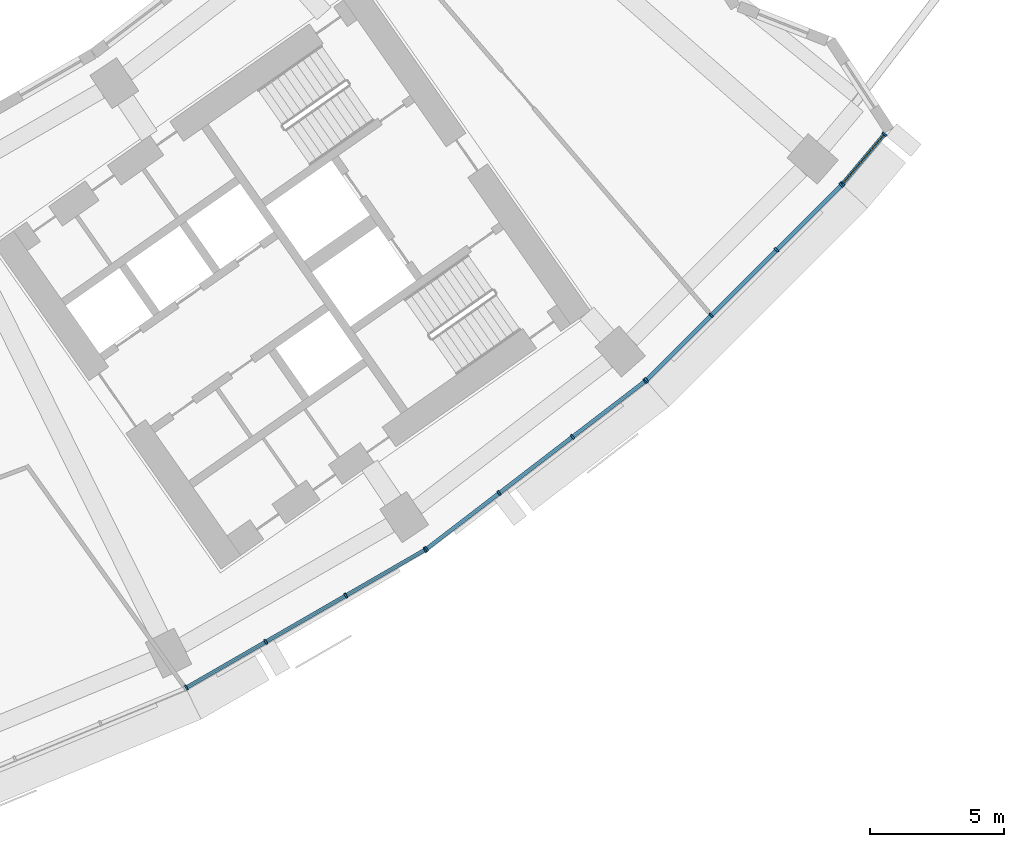
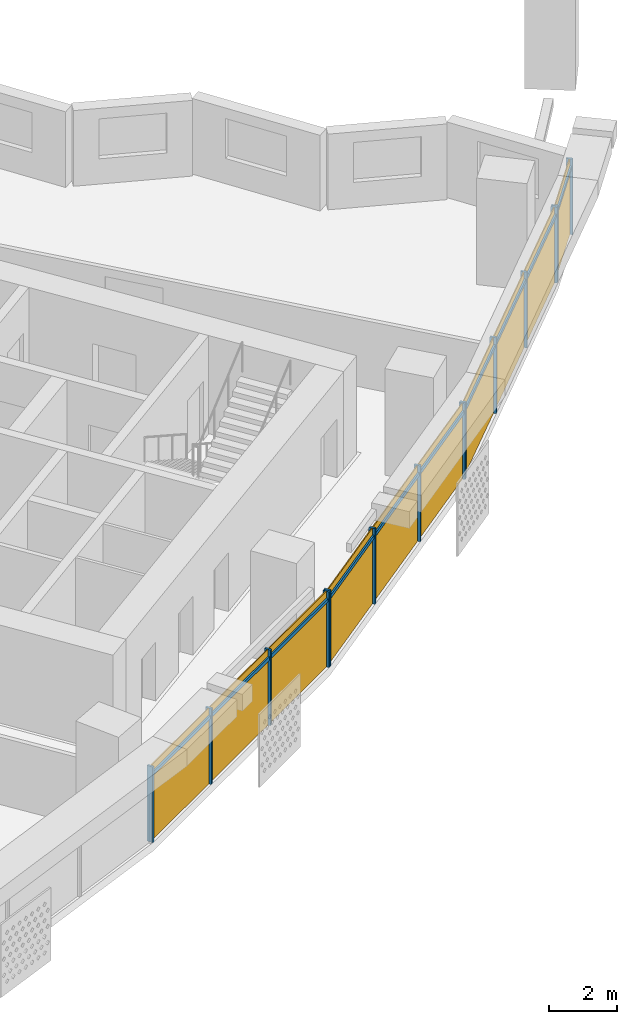
# One storey, part 21 of 29: 24 members, 4 curtain walls.
"""IFC4 building model written with IfcOpenShell, lengths in metres."""

import ifcopenshell
import ifcopenshell.guid

model = None  # the IFC model being written
_history = None  # IfcOwnerHistory: only IFC2X3 demands one
_inside = {}  # id of a spatial element -> (the spatial element, [elements in it])
_under = {}  # id of a project, library or spatial element -> (it, [spatial elements below it])
_declared = {}  # id of a project -> (the project, [libraries it declares])
_typed = {}  # id of a type object -> (the type object, [elements of that type])
_made_of = {}  # id of a material, layer set ... -> (it, [elements and type objects made of it])


def new_model(schema):
    """Start an empty IFC model of exactly this schema.

    Asked for "IFC4X3", IfcOpenShell would pick the latest addendum, in which some entities
    have other attributes; the version numbers below select the first issue.
    IFC2X3 requires an IfcOwnerHistory on every rooted entity: one is made here for all.
    """
    global model, _history
    if schema == "IFC4X3":
        model = ifcopenshell.file(schema_version=(4, 3, 0, 0))
    else:
        model = ifcopenshell.file(schema=schema)
    _inside.clear()
    _under.clear()
    _declared.clear()
    _typed.clear()
    _made_of.clear()
    _history = None
    if model.schema == "IFC2X3":
        org = make("IfcOrganization", Name="unknown")
        user = make(
            "IfcPersonAndOrganization",
            ThePerson=make("IfcPerson", FamilyName="unknown"),
            TheOrganization=org,
        )
        app = make(
            "IfcApplication",
            ApplicationDeveloper=org,
            Version="unknown",
            ApplicationFullName="unknown",
            ApplicationIdentifier="unknown",
        )
        _history = make(
            "IfcOwnerHistory",
            OwningUser=user,
            OwningApplication=app,
            ChangeAction="ADDED",
            CreationDate=0,
        )
    return model


def make(cls, **values):
    """One entity of the class cls with the attributes given. An attribute that is None is left unset."""
    return model.create_entity(
        cls, **{name: value for name, value in values.items() if value is not None}
    )


def rooted(cls, **values):
    """An entity with a GlobalId (a new one), such as an element, a storey or a relation."""
    return make(cls, GlobalId=ifcopenshell.guid.new(), OwnerHistory=_history, **values)


def si_unit(unit_type, name, prefix=None):
    """IfcSIUnit, for example si_unit("LENGTHUNIT", "METRE", prefix="MILLI")."""
    return make("IfcSIUnit", UnitType=unit_type, Prefix=prefix, Name=name)


def assignment(units):
    """IfcUnitAssignment: the units of a project."""
    return None if units is None else make("IfcUnitAssignment", Units=units)


def point(xyz):
    """IfcCartesianPoint."""
    return None if xyz is None else make("IfcCartesianPoint", Coordinates=xyz)


def direction(xyz):
    """IfcDirection."""
    return None if xyz is None else make("IfcDirection", DirectionRatios=xyz)


def frame(location, z_axis=None, x_axis=None):
    """IfcAxis2Placement3D, a coordinate frame: its origin and axes. An axis left out is left unset."""
    return make(
        "IfcAxis2Placement3D",
        Location=point(location),
        Axis=direction(z_axis),
        RefDirection=direction(x_axis),
    )


def frame_2d(location, x_axis=None):
    """IfcAxis2Placement2D, a coordinate frame in the plane: its origin and x axis."""
    return make(
        "IfcAxis2Placement2D", Location=point(location), RefDirection=direction(x_axis)
    )


def origin():
    """The frame at (0, 0, 0) with its axes left unset."""
    return frame((0.0, 0.0, 0.0))


def origin_2d():
    """The frame at (0, 0) in the plane with its x axis left unset."""
    return frame_2d((0.0, 0.0))


def place(relative_to, where):
    """IfcLocalPlacement: puts the frame where relative to a parent placement (None: the world)."""
    return make(
        "IfcLocalPlacement", PlacementRelTo=relative_to, RelativePlacement=where
    )


def context(
    kind, dimensions, precision=None, world=None, true_north=None, identifier=None
):
    """IfcGeometricRepresentationContext, for example the 3D "Model" context."""
    return make(
        "IfcGeometricRepresentationContext",
        ContextIdentifier=identifier,
        ContextType=kind,
        CoordinateSpaceDimension=dimensions,
        Precision=precision,
        WorldCoordinateSystem=world,
        TrueNorth=true_north,
    )


def subcontext(parent, identifier, kind, view, scale=None):
    """IfcGeometricRepresentationSubContext, for example "Body" below "Model"."""
    return make(
        "IfcGeometricRepresentationSubContext",
        ContextIdentifier=identifier,
        ContextType=kind,
        ParentContext=parent,
        TargetScale=scale,
        TargetView=view,
    )


def project(units=None, contexts=None):
    """IfcProject with its units and contexts."""
    return rooted(
        "IfcProject",
        Name="project",
        RepresentationContexts=contexts,
        UnitsInContext=assignment(units),
    )


def spatial(cls, under=None, at=None, **own):
    """A site, building, storey or space (cls), placed at a placement, below another one or the project."""
    s = rooted(cls, ObjectPlacement=at, **own)
    if under is not None:
        _under.setdefault(under.id(), (under, []))[1].append(s)
    return s


def profile(cls, at=None, kind="AREA", **sizes):
    """A parametric profile (cls). Its sizes go by their IFC names, for example OverallWidth=200.0."""
    return make(cls, ProfileType=kind, Position=at, **sizes)


def rectangle(**sizes):
    """IfcRectangleProfileDef."""
    return profile("IfcRectangleProfileDef", **sizes)


def extrude(swept, where, along, depth):
    """IfcExtrudedAreaSolid: the profile swept, set in the frame where, extruded along a direction by depth."""
    return make(
        "IfcExtrudedAreaSolid",
        SweptArea=swept,
        Position=where,
        ExtrudedDirection=direction(along),
        Depth=depth,
    )


def shape(context_of_items, identifier, shape_type, items):
    """IfcShapeRepresentation: the items that make up one representation, for example the "Body"."""
    return make(
        "IfcShapeRepresentation",
        ContextOfItems=context_of_items,
        RepresentationIdentifier=identifier,
        RepresentationType=shape_type,
        Items=items,
    )


def material(Name=None, Category=None):
    """IfcMaterial."""
    return make("IfcMaterial", Name=Name, Category=Category)


def material_profile(
    of_material, cross_section, Name=None, Category=None, Priority=None
):
    """IfcMaterialProfile: a cross section and its material."""
    return make(
        "IfcMaterialProfile",
        Name=Name,
        Material=of_material,
        Profile=cross_section,
        Priority=Priority,
        Category=Category,
    )


def profile_set(profiles, Name=None, composite=None):
    """IfcMaterialProfileSet."""
    return make(
        "IfcMaterialProfileSet",
        Name=Name,
        MaterialProfiles=profiles,
        CompositeProfile=composite,
    )


def made_of(thing, what):
    """Note that an element or type object is made of a material, layer set ...; save() writes the relation."""
    if what is not None:
        _made_of.setdefault(what.id(), (what, []))[1].append(thing)
    return thing


def type_object(cls, material=None, **own):
    """A type object (cls), such as IfcWallType, which elements share."""
    return made_of(rooted(cls, **own), material)


def element(
    cls,
    number,
    at=None,
    inside=None,
    cuts=None,
    type_object=None,
    material=None,
    context=None,
    identifier="Body",
    shape_type=None,
    held_by="IfcProductDefinitionShape",
    body=None,
    shapes=None,
    **own,
):
    """One element of the class cls, such as IfcWall. Its Tag is "e" and its number.

    at: its placement. inside: the storey or other place that contains it. cuts: it is an
    opening in that element (IfcRelVoidsElement). A single representation is given by context,
    identifier, shape_type and body (its items); several are given by shapes. held_by: the class
    of the entity that holds the representations. save() writes the other relations.
    """
    e = rooted(cls, Tag="e%d" % number, ObjectPlacement=at, **own)
    if body is not None:
        shapes = [shape(context, identifier, shape_type, body)]
    if shapes is not None:
        e.Representation = make(held_by, Representations=shapes)
    if inside is not None:
        _inside.setdefault(inside.id(), (inside, []))[1].append(e)
    if cuts is not None:
        rooted(
            "IfcRelVoidsElement", RelatingBuildingElement=cuts, RelatedOpeningElement=e
        )
    if type_object is not None:
        _typed.setdefault(type_object.id(), (type_object, []))[1].append(e)
    return made_of(e, material)


def aggregate(whole, parts):
    """IfcRelAggregates: a whole, such as a stair, and the parts it consists of."""
    return rooted("IfcRelAggregates", RelatingObject=whole, RelatedObjects=parts)


def save(model, path):
    """Write the relations noted so far, then the file.

    IfcRelAggregates (storeys below a building ...), IfcRelContainedInSpatialStructure (elements
    in a storey), IfcRelDefinesByType, IfcRelAssociatesMaterial and IfcRelDeclares: one each for
    every whole, place, type object, material and project.
    """
    for whole, parts in _under.values():
        aggregate(whole, parts)
    for where, things in _inside.values():
        rooted(
            "IfcRelContainedInSpatialStructure",
            RelatedElements=things,
            RelatingStructure=where,
        )
    for kind, things in _typed.values():
        rooted("IfcRelDefinesByType", RelatedObjects=things, RelatingType=kind)
    for what, things in _made_of.values():
        rooted("IfcRelAssociatesMaterial", RelatedObjects=things, RelatingMaterial=what)
    for by, libraries in _declared.values():
        rooted("IfcRelDeclares", RelatingContext=by, RelatedDefinitions=libraries)
    model.write(path)


model = new_model("IFC4")

# Units and contexts
model_context = context("Model", 3, precision=1e-05, world=origin(), true_north=direction((0.0, 1.0)))
body_context = subcontext(model_context, "Body", "Model", "MODEL_VIEW")
ifc_project = project(units=[si_unit("LENGTHUNIT", "METRE"), si_unit("AREAUNIT", "SQUARE_METRE"), si_unit("VOLUMEUNIT", "CUBIC_METRE"), si_unit("PLANEANGLEUNIT", "RADIAN"), si_unit("MASSUNIT", "GRAM", prefix="KILO")], contexts=[model_context])

# Member
ifc_material = material(Name="Aluminium 6063-T6 anodised", Category="aluminium")
ifc_material_profile_1 = material_profile(ifc_material, rectangle(XDim=0.199951171875, YDim=0.070068359375, at=origin_2d()))
ifc_profile_set_1 = profile_set([ifc_material_profile_1], Name="Aluminium 6063-T6 anodised")
member_type_1 = type_object("IfcMemberType", Name="Mullion 70 x 200 aluminium", PredefinedType="MULLION", material=ifc_profile_set_1)
site_placement = place(None, origin())
building_placement = place(site_placement, origin())
storey_placement = place(building_placement, frame((0.0, 0.0, 121.5)))
member_1_placement = place(storey_placement, frame((35.0537109375, -71.017822265625, 0.0), z_axis=(0.0, 0.0, 1.0), x_axis=(-0.5, 0.866025403784, 0.0)))
member_1 = element("IfcMember", 1, at=member_1_placement, type_object=member_type_1, Name="e-cw1-L27-out13/M00", PredefinedType="MULLION", context=body_context, shape_type="SweptSolid", body=[
    extrude(rectangle(XDim=0.199951171875, YDim=0.070068359375, at=origin_2d()), origin(), (0.0, 0.0, 1.0), 2.699951171875),
])

member_2_placement = place(storey_placement, frame((38.017822265625, -69.306640625, 0.0), z_axis=(0.0, 0.0, 1.0), x_axis=(-0.5, 0.866025403784, 0.0)))
member_2 = element("IfcMember", 2, at=member_2_placement, type_object=member_type_1, Name="e-cw1-L27-out13/M01", PredefinedType="MULLION", context=body_context, shape_type="SweptSolid", body=[
    extrude(rectangle(XDim=0.199951171875, YDim=0.070068359375, at=origin_2d()), origin(), (0.0, 0.0, 1.0), 2.699951171875),
])

member_3_placement = place(storey_placement, frame((41.01220703125, -67.577880859375, 0.0), z_axis=(0.0, 0.0, 1.0), x_axis=(-0.5, 0.866025403784, 0.0)))
member_3 = element("IfcMember", 3, at=member_3_placement, type_object=member_type_1, Name="e-cw1-L27-out13/M02", PredefinedType="MULLION", context=body_context, shape_type="SweptSolid", body=[
    extrude(rectangle(XDim=0.199951171875, YDim=0.070068359375, at=origin_2d()), origin(), (0.0, 0.0, 1.0), 2.699951171875),
])

member_4_placement = place(storey_placement, frame((43.976318359375, -65.866455078125, 0.0), z_axis=(0.0, 0.0, 1.0), x_axis=(-0.5, 0.866025403784, 0.0)))
member_4 = element("IfcMember", 4, at=member_4_placement, type_object=member_type_1, Name="e-cw1-L27-out13/M03", PredefinedType="MULLION", context=body_context, shape_type="SweptSolid", body=[
    extrude(rectangle(XDim=0.199951171875, YDim=0.070068359375, at=origin_2d()), origin(), (0.0, 0.0, 1.0), 2.699951171875),
])

member_5_placement = place(storey_placement, frame((44.023681640625, -65.8349609375, 0.0), z_axis=(0.0, 0.0, 1.0), x_axis=(-0.608761429009, 0.793353340291, 0.0)))
member_5 = element("IfcMember", 5, at=member_5_placement, type_object=member_type_1, Name="e-cw1-L27-out14/M00", PredefinedType="MULLION", context=body_context, shape_type="SweptSolid", body=[
    extrude(rectangle(XDim=0.199951171875, YDim=0.070068359375, at=origin_2d()), origin(), (0.0, 0.0, 1.0), 2.699951171875),
])

member_6_placement = place(storey_placement, frame((46.739013671875, -63.751220703125, 0.0), z_axis=(0.0, 0.0, 1.0), x_axis=(-0.608761429009, 0.793353340291, 0.0)))
member_6 = element("IfcMember", 6, at=member_6_placement, type_object=member_type_1, Name="e-cw1-L27-out14/M01", PredefinedType="MULLION", context=body_context, shape_type="SweptSolid", body=[
    extrude(rectangle(XDim=0.199951171875, YDim=0.070068359375, at=origin_2d()), origin(), (0.0, 0.0, 1.0), 2.699951171875),
])

member_7_placement = place(storey_placement, frame((49.482177734375, -61.646484375, 0.0), z_axis=(0.0, 0.0, 1.0), x_axis=(-0.608761429009, 0.793353340291, 0.0)))
member_7 = element("IfcMember", 7, at=member_7_placement, type_object=member_type_1, Name="e-cw1-L27-out14/M02", PredefinedType="MULLION", context=body_context, shape_type="SweptSolid", body=[
    extrude(rectangle(XDim=0.199951171875, YDim=0.070068359375, at=origin_2d()), origin(), (0.0, 0.0, 1.0), 2.699951171875),
])

member_8_placement = place(storey_placement, frame((52.197509765625, -59.56298828125, 0.0), z_axis=(0.0, 0.0, 1.0), x_axis=(-0.608761429009, 0.793353340291, 0.0)))
member_8 = element("IfcMember", 8, at=member_8_placement, type_object=member_type_1, Name="e-cw1-L27-out14/M03", PredefinedType="MULLION", context=body_context, shape_type="SweptSolid", body=[
    extrude(rectangle(XDim=0.199951171875, YDim=0.070068359375, at=origin_2d()), origin(), (0.0, 0.0, 1.0), 2.699951171875),
])

member_9_placement = place(storey_placement, frame((52.240234375, -59.525390625, 0.0), z_axis=(0.0, 0.0, 1.0), x_axis=(-0.707106781187, 0.707106781187, 0.0)))
member_9 = element("IfcMember", 9, at=member_9_placement, type_object=member_type_1, Name="e-cw1-L27-out15/M00", PredefinedType="MULLION", context=body_context, shape_type="SweptSolid", body=[
    extrude(rectangle(XDim=0.199951171875, YDim=0.070068359375, at=origin_2d()), origin(), (0.0, 0.0, 1.0), 2.699951171875),
])

member_10_placement = place(storey_placement, frame((54.660400390625, -57.105224609375, 0.0), z_axis=(0.0, 0.0, 1.0), x_axis=(-0.707106781187, 0.707106781187, 0.0)))
member_10 = element("IfcMember", 10, at=member_10_placement, type_object=member_type_1, Name="e-cw1-L27-out15/M01", PredefinedType="MULLION", context=body_context, shape_type="SweptSolid", body=[
    extrude(rectangle(XDim=0.199951171875, YDim=0.070068359375, at=origin_2d()), origin(), (0.0, 0.0, 1.0), 2.699951171875),
])

member_11_placement = place(storey_placement, frame((57.105224609375, -54.660400390625, 0.0), z_axis=(0.0, 0.0, 1.0), x_axis=(-0.707106781187, 0.707106781187, 0.0)))
member_11 = element("IfcMember", 11, at=member_11_placement, type_object=member_type_1, Name="e-cw1-L27-out15/M02", PredefinedType="MULLION", context=body_context, shape_type="SweptSolid", body=[
    extrude(rectangle(XDim=0.199951171875, YDim=0.070068359375, at=origin_2d()), origin(), (0.0, 0.0, 1.0), 2.699951171875),
])

member_12_placement = place(storey_placement, frame((59.525390625, -52.240234375, 0.0), z_axis=(0.0, 0.0, 1.0), x_axis=(-0.707106781187, 0.707106781187, 0.0)))
member_12 = element("IfcMember", 12, at=member_12_placement, type_object=member_type_1, Name="e-cw1-L27-out15/M03", PredefinedType="MULLION", context=body_context, shape_type="SweptSolid", body=[
    extrude(rectangle(XDim=0.199951171875, YDim=0.070068359375, at=origin_2d()), origin(), (0.0, 0.0, 1.0), 2.699951171875),
])

member_13_placement = place(storey_placement, frame((59.567138671875, -52.19482421875, 0.0), z_axis=(0.0, 0.0, 1.0), x_axis=(-0.763709922042, 0.645559567332, 0.0)))
member_13 = element("IfcMember", 13, at=member_13_placement, type_object=member_type_1, Name="e-cw1-L27-out16/M00", PredefinedType="MULLION", context=body_context, shape_type="SweptSolid", body=[
    extrude(rectangle(XDim=0.199951171875, YDim=0.070068359375, at=origin_2d()), origin(), (0.0, 0.0, 1.0), 2.699951171875),
])

member_14_placement = place(storey_placement, frame((61.135986328125, -50.3388671875, 0.0), z_axis=(0.0, 0.0, 1.0), x_axis=(-0.763709922042, 0.645559567332, 0.0)))
member_14 = element("IfcMember", 14, at=member_14_placement, type_object=member_type_1, Name="e-cw1-L27-out16/M01", PredefinedType="MULLION", context=body_context, shape_type="SweptSolid", body=[
    extrude(rectangle(XDim=0.199951171875, YDim=0.070068359375, at=origin_2d()), origin(), (0.0, 0.0, 1.0), 2.699951171875),
])

ifc_material_profile_2 = material_profile(ifc_material, rectangle(XDim=0.139892578125, YDim=0.1201171875, at=origin_2d()))
ifc_profile_set_2 = profile_set([ifc_material_profile_2], Name="Aluminium 6063-T6 anodised")
member_type_2 = type_object("IfcMemberType", Name="Transom 120 x 140 aluminium", PredefinedType="USERDEFINED", material=ifc_profile_set_2)
member_15_placement = place(storey_placement, frame((35.084228515625, -71.00048828125, 2.39990234375), z_axis=(0.865989120267, 0.50006283963, 0.0), x_axis=(-0.50006283963, 0.865989120267, 0.0)))
member_15 = element("IfcMember", 15, at=member_15_placement, type_object=member_type_2, Name="e-cw1-L27-out13/T00", ObjectType="TRANSOM", PredefinedType="USERDEFINED", context=body_context, shape_type="SweptSolid", body=[
    extrude(rectangle(XDim=0.139892578125, YDim=0.1201171875, at=origin_2d()), origin(), (0.0, 0.0, 1.0), 3.3525390625),
])

member_16_placement = place(storey_placement, frame((38.048095703125, -69.2890625, 2.39990234375), z_axis=(0.866025971257, 0.499999017107, 0.0), x_axis=(-0.499999017107, 0.866025971257, 0.0)))
member_16 = element("IfcMember", 16, at=member_16_placement, type_object=member_type_2, Name="e-cw1-L27-out13/T01", ObjectType="TRANSOM", PredefinedType="USERDEFINED", context=body_context, shape_type="SweptSolid", body=[
    extrude(rectangle(XDim=0.139892578125, YDim=0.1201171875, at=origin_2d()), origin(), (0.0, 0.0, 1.0), 3.3876953125),
])

member_17_placement = place(storey_placement, frame((41.042724609375, -67.560302734375, 2.39990234375), z_axis=(0.866020654818, 0.50000822536, 0.0), x_axis=(-0.50000822536, 0.866020654818, 0.0)))
member_17 = element("IfcMember", 17, at=member_17_placement, type_object=member_type_2, Name="e-cw1-L27-out13/T02", ObjectType="TRANSOM", PredefinedType="USERDEFINED", context=body_context, shape_type="SweptSolid", body=[
    extrude(rectangle(XDim=0.139892578125, YDim=0.1201171875, at=origin_2d()), origin(), (0.0, 0.0, 1.0), 3.3525390625),
])

member_18_placement = place(storey_placement, frame((44.05126953125, -65.8134765625, 2.39990234375), z_axis=(0.793389477316, 0.608714331426, 0.0), x_axis=(-0.608714331426, 0.793389477316, 0.0)))
member_18 = element("IfcMember", 18, at=member_18_placement, type_object=member_type_2, Name="e-cw1-L27-out14/T00", ObjectType="TRANSOM", PredefinedType="USERDEFINED", context=body_context, shape_type="SweptSolid", body=[
    extrude(rectangle(XDim=0.139892578125, YDim=0.1201171875, at=origin_2d()), origin(), (0.0, 0.0, 1.0), 3.3525390625),
])

member_19_placement = place(storey_placement, frame((46.766845703125, -63.72998046875, 2.39990234375), z_axis=(0.793344133173, 0.608773427772, 0.0), x_axis=(-0.608773427772, 0.793344133173, 0.0)))
member_19 = element("IfcMember", 19, at=member_19_placement, type_object=member_type_2, Name="e-cw1-L27-out14/T01", ObjectType="TRANSOM", PredefinedType="USERDEFINED", context=body_context, shape_type="SweptSolid", body=[
    extrude(rectangle(XDim=0.139892578125, YDim=0.1201171875, at=origin_2d()), origin(), (0.0, 0.0, 1.0), 3.387451171875),
])

member_20_placement = place(storey_placement, frame((49.509765625, -61.625244140625, 2.39990234375), z_axis=(0.793354308621, 0.608760167055, 0.0), x_axis=(-0.608760167055, 0.793354308621, 0.0)))
member_20 = element("IfcMember", 20, at=member_20_placement, type_object=member_type_2, Name="e-cw1-L27-out14/T02", ObjectType="TRANSOM", PredefinedType="USERDEFINED", context=body_context, shape_type="SweptSolid", body=[
    extrude(rectangle(XDim=0.139892578125, YDim=0.1201171875, at=origin_2d()), origin(), (0.0, 0.0, 1.0), 3.352783203125),
])

member_21_placement = place(storey_placement, frame((52.264892578125, -59.500732421875, 2.39990234375), z_axis=(0.707106781187, 0.707106781187, 0.0), x_axis=(-0.707106781187, 0.707106781187, 0.0)))
member_21 = element("IfcMember", 21, at=member_21_placement, type_object=member_type_2, Name="e-cw1-L27-out15/T00", ObjectType="TRANSOM", PredefinedType="USERDEFINED", context=body_context, shape_type="SweptSolid", body=[
    extrude(rectangle(XDim=0.139892578125, YDim=0.1201171875, at=origin_2d()), origin(), (0.0, 0.0, 1.0), 3.3525390625),
])

member_22_placement = place(storey_placement, frame((54.68505859375, -57.08056640625, 2.39990234375), z_axis=(0.707106781187, 0.707106781187, 0.0), x_axis=(-0.707106781187, 0.707106781187, 0.0)))
member_22 = element("IfcMember", 22, at=member_22_placement, type_object=member_type_2, Name="e-cw1-L27-out15/T01", ObjectType="TRANSOM", PredefinedType="USERDEFINED", context=body_context, shape_type="SweptSolid", body=[
    extrude(rectangle(XDim=0.139892578125, YDim=0.1201171875, at=origin_2d()), origin(), (0.0, 0.0, 1.0), 3.3876953125),
])

member_23_placement = place(storey_placement, frame((57.130126953125, -54.635498046875, 2.39990234375), z_axis=(0.707106781187, 0.707106781187, 0.0), x_axis=(-0.707106781187, 0.707106781187, 0.0)))
member_23 = element("IfcMember", 23, at=member_23_placement, type_object=member_type_2, Name="e-cw1-L27-out15/T02", ObjectType="TRANSOM", PredefinedType="USERDEFINED", context=body_context, shape_type="SweptSolid", body=[
    extrude(rectangle(XDim=0.139892578125, YDim=0.1201171875, at=origin_2d()), origin(), (0.0, 0.0, 1.0), 3.3525390625),
])

member_24_placement = place(storey_placement, frame((59.589599609375, -52.168212890625, 2.39990234375), z_axis=(0.645571206715, 0.763700083188, 0.0), x_axis=(-0.763700083188, 0.645571206715, 0.0)))
member_24 = element("IfcMember", 24, at=member_24_placement, type_object=member_type_2, Name="e-cw1-L27-out16/T00", ObjectType="TRANSOM", PredefinedType="USERDEFINED", context=body_context, shape_type="SweptSolid", body=[
    extrude(rectangle(XDim=0.139892578125, YDim=0.1201171875, at=origin_2d()), origin(), (0.0, 0.0, 1.0), 2.360107421875),
])

# Site, building, storey
site = spatial("IfcSite", under=ifc_project, at=site_placement, CompositionType="ELEMENT")
building = spatial("IfcBuilding", under=site, at=building_placement, Name="Qamariyya Broadcast Tower", CompositionType="ELEMENT")
storey = spatial("IfcBuildingStorey", under=building, at=storey_placement, Name="L27", CompositionType="ELEMENT", Elevation=121.5)

# Curtain wall
curtain_wall_type = type_object("IfcCurtainWallType", Name="Unitised curtain wall, anodised aluminium", PredefinedType="NOTDEFINED", material=ifc_material)
curtain_wall_1_placement = place(storey_placement, origin())
curtain_wall_1 = element("IfcCurtainWall", 25, at=curtain_wall_1_placement, inside=storey, type_object=curtain_wall_type, Name="e-cw1-L27-out13", PredefinedType="NOTDEFINED", context=body_context, shape_type="SweptSolid", body=[
    extrude(rectangle(XDim=3.352783203125, YDim=0.031982421875, at=origin_2d()), frame((36.535888671875, -70.162109375, 0.0), x_axis=(0.866027243369, 0.499996813733, 0.0)), (0.0, 0.0, 1.0), 2.340087890625),
    extrude(rectangle(XDim=3.352783203125, YDim=0.031982421875, at=origin_2d()), frame((36.535888671875, -70.162109375, 2.4599609375), x_axis=(0.866027243369, 0.499996813733, 0.0)), (0.0, 0.0, 1.0), 0.239990234375),
    extrude(rectangle(XDim=3.3876953125, YDim=0.031982421875, at=origin_2d()), frame((39.51513671875, -68.442138671875, 0.0), x_axis=(0.866027243369, 0.499996813733, 0.0)), (0.0, 0.0, 1.0), 2.340087890625),
    extrude(rectangle(XDim=3.3876953125, YDim=0.031982421875, at=origin_2d()), frame((39.51513671875, -68.442138671875, 2.4599609375), x_axis=(0.866027243369, 0.499996813733, 0.0)), (0.0, 0.0, 1.0), 0.239990234375),
    extrude(rectangle(XDim=3.352783203125, YDim=0.031982421875, at=origin_2d()), frame((42.494384765625, -66.72216796875, 0.0), x_axis=(0.866027243369, 0.499996813733, 0.0)), (0.0, 0.0, 1.0), 2.340087890625),
    extrude(rectangle(XDim=3.352783203125, YDim=0.031982421875, at=origin_2d()), frame((42.494384765625, -66.72216796875, 2.4599609375), x_axis=(0.866027243369, 0.499996813733, 0.0)), (0.0, 0.0, 1.0), 0.239990234375),
])

aggregate(curtain_wall_1, [member_1, member_2, member_3, member_4, member_15, member_16, member_17])

curtain_wall_2_placement = place(storey_placement, origin())
curtain_wall_2 = element("IfcCurtainWall", 26, at=curtain_wall_2_placement, inside=storey, type_object=curtain_wall_type, Name="e-cw1-L27-out14", PredefinedType="NOTDEFINED", context=body_context, shape_type="SweptSolid", body=[
    extrude(rectangle(XDim=3.352783203125, YDim=0.031982421875, at=origin_2d()), frame((45.38134765625, -64.793212890625, 0.0), x_axis=(0.793354000839, 0.608760568165, 0.0)), (0.0, 0.0, 1.0), 2.340087890625),
    extrude(rectangle(XDim=3.352783203125, YDim=0.031982421875, at=origin_2d()), frame((45.38134765625, -64.793212890625, 2.4599609375), x_axis=(0.793354000839, 0.608760568165, 0.0)), (0.0, 0.0, 1.0), 0.239990234375),
    extrude(rectangle(XDim=3.3876953125, YDim=0.031982421875, at=origin_2d()), frame((48.110595703125, -62.69873046875, 0.0), x_axis=(0.793354000839, 0.608760568165, 0.0)), (0.0, 0.0, 1.0), 2.340087890625),
    extrude(rectangle(XDim=3.3876953125, YDim=0.031982421875, at=origin_2d()), frame((48.110595703125, -62.69873046875, 2.4599609375), x_axis=(0.793354000839, 0.608760568165, 0.0)), (0.0, 0.0, 1.0), 0.239990234375),
    extrude(rectangle(XDim=3.352783203125, YDim=0.031982421875, at=origin_2d()), frame((50.83984375, -60.6044921875, 0.0), x_axis=(0.793354000839, 0.608760568165, 0.0)), (0.0, 0.0, 1.0), 2.340087890625),
    extrude(rectangle(XDim=3.352783203125, YDim=0.031982421875, at=origin_2d()), frame((50.83984375, -60.6044921875, 2.4599609375), x_axis=(0.793354000839, 0.608760568165, 0.0)), (0.0, 0.0, 1.0), 0.239990234375),
])

aggregate(curtain_wall_2, [member_5, member_6, member_7, member_8, member_18, member_19, member_20])

curtain_wall_3_placement = place(storey_placement, origin())
curtain_wall_3 = element("IfcCurtainWall", 27, at=curtain_wall_3_placement, inside=storey, type_object=curtain_wall_type, Name="e-cw1-L27-out15", PredefinedType="NOTDEFINED", context=body_context, shape_type="SweptSolid", body=[
    extrude(rectangle(XDim=3.352783203125, YDim=0.031982421875, at=origin_2d()), frame((53.4501953125, -58.3154296875, 0.0), x_axis=(0.707106781187, 0.707106781187, 0.0)), (0.0, 0.0, 1.0), 2.340087890625),
    extrude(rectangle(XDim=3.352783203125, YDim=0.031982421875, at=origin_2d()), frame((53.4501953125, -58.3154296875, 2.4599609375), x_axis=(0.707106781187, 0.707106781187, 0.0)), (0.0, 0.0, 1.0), 0.239990234375),
    extrude(rectangle(XDim=3.3876953125, YDim=0.031982421875, at=origin_2d()), frame((55.8828125, -55.8828125, 0.0), x_axis=(0.707106781187, 0.707106781187, 0.0)), (0.0, 0.0, 1.0), 2.340087890625),
    extrude(rectangle(XDim=3.3876953125, YDim=0.031982421875, at=origin_2d()), frame((55.8828125, -55.8828125, 2.4599609375), x_axis=(0.707106781187, 0.707106781187, 0.0)), (0.0, 0.0, 1.0), 0.239990234375),
    extrude(rectangle(XDim=3.352783203125, YDim=0.031982421875, at=origin_2d()), frame((58.3154296875, -53.4501953125, 0.0), x_axis=(0.707106781187, 0.707106781187, 0.0)), (0.0, 0.0, 1.0), 2.340087890625),
    extrude(rectangle(XDim=3.352783203125, YDim=0.031982421875, at=origin_2d()), frame((58.3154296875, -53.4501953125, 2.4599609375), x_axis=(0.707106781187, 0.707106781187, 0.0)), (0.0, 0.0, 1.0), 0.239990234375),
])

aggregate(curtain_wall_3, [member_9, member_10, member_11, member_12, member_21, member_22, member_23])

curtain_wall_4_placement = place(storey_placement, origin())
curtain_wall_4 = element("IfcCurtainWall", 28, at=curtain_wall_4_placement, inside=storey, type_object=curtain_wall_type, Name="e-cw1-L27-out16", PredefinedType="NOTDEFINED", context=body_context, shape_type="SweptSolid", body=[
    extrude(rectangle(XDim=2.360107421875, YDim=0.031982421875, at=origin_2d()), frame((60.3515625, -51.26708984375, 0.0), x_axis=(0.645556951111, 0.763712133511, 0.0)), (0.0, 0.0, 1.0), 2.340087890625),
    extrude(rectangle(XDim=2.360107421875, YDim=0.031982421875, at=origin_2d()), frame((60.3515625, -51.26708984375, 2.4599609375), x_axis=(0.645556951111, 0.763712133511, 0.0)), (0.0, 0.0, 1.0), 0.239990234375),
])

aggregate(curtain_wall_4, [member_13, member_14, member_24])

save(model, "model.ifc")
